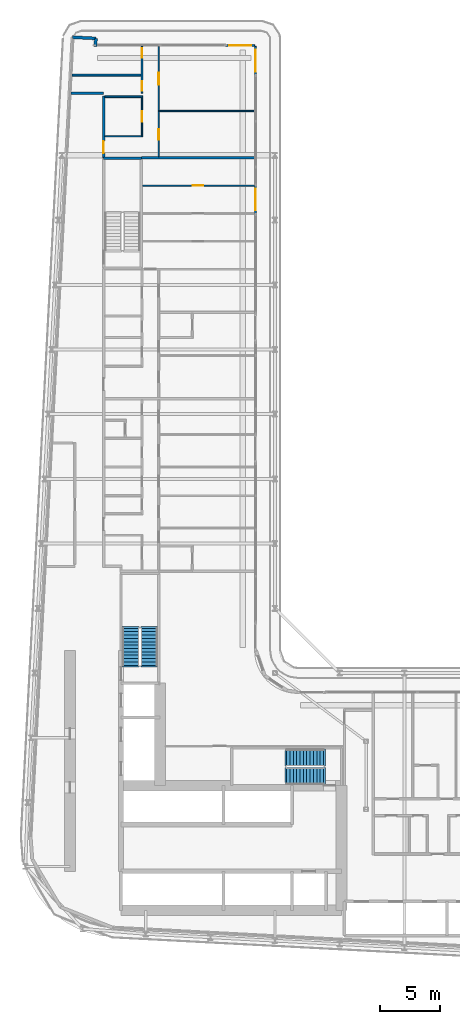
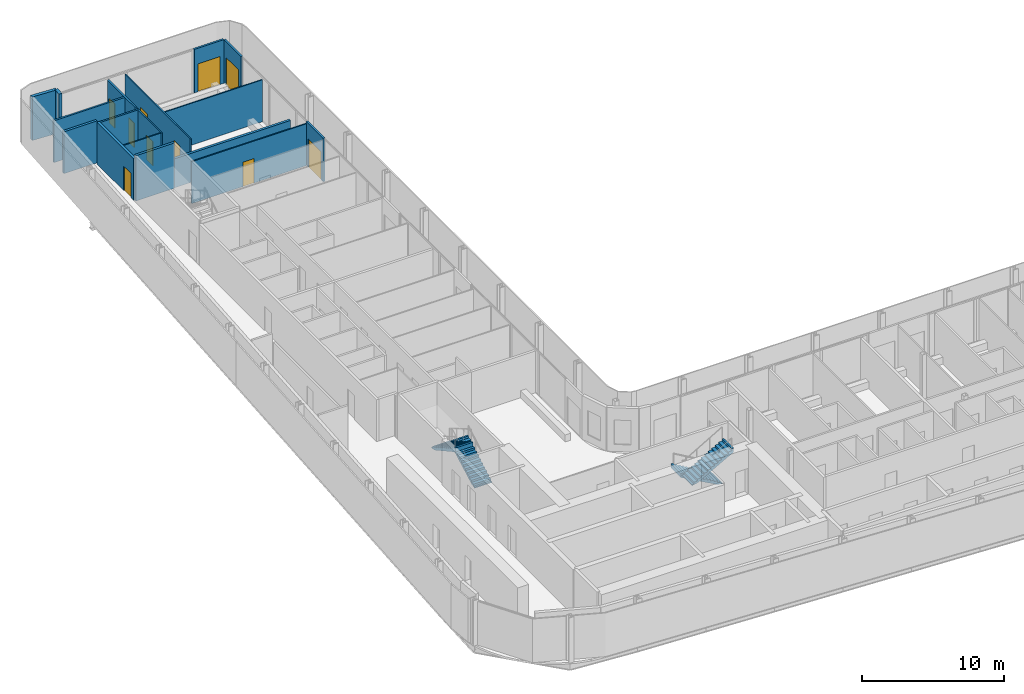
# One storey, part 21 of 29: 17 walls, 10 doors, 4 stair flights, 10 openings, 2 elements without a shape of their own.
"""IFC4 building model written with IfcOpenShell, lengths in metres."""

import ifcopenshell
import ifcopenshell.guid

model = None  # the IFC model being written
_history = None  # IfcOwnerHistory: only IFC2X3 demands one
_inside = {}  # id of a spatial element -> (the spatial element, [elements in it])
_under = {}  # id of a project, library or spatial element -> (it, [spatial elements below it])
_declared = {}  # id of a project -> (the project, [libraries it declares])
_typed = {}  # id of a type object -> (the type object, [elements of that type])
_made_of = {}  # id of a material, layer set ... -> (it, [elements and type objects made of it])


def new_model(schema):
    """Start an empty IFC model of exactly this schema.

    Asked for "IFC4X3", IfcOpenShell would pick the latest addendum, in which some entities
    have other attributes; the version numbers below select the first issue.
    IFC2X3 requires an IfcOwnerHistory on every rooted entity: one is made here for all.
    """
    global model, _history
    if schema == "IFC4X3":
        model = ifcopenshell.file(schema_version=(4, 3, 0, 0))
    else:
        model = ifcopenshell.file(schema=schema)
    _inside.clear()
    _under.clear()
    _declared.clear()
    _typed.clear()
    _made_of.clear()
    _history = None
    if model.schema == "IFC2X3":
        org = make("IfcOrganization", Name="unknown")
        user = make(
            "IfcPersonAndOrganization",
            ThePerson=make("IfcPerson", FamilyName="unknown"),
            TheOrganization=org,
        )
        app = make(
            "IfcApplication",
            ApplicationDeveloper=org,
            Version="unknown",
            ApplicationFullName="unknown",
            ApplicationIdentifier="unknown",
        )
        _history = make(
            "IfcOwnerHistory",
            OwningUser=user,
            OwningApplication=app,
            ChangeAction="ADDED",
            CreationDate=0,
        )
    return model


def make(cls, **values):
    """One entity of the class cls with the attributes given. An attribute that is None is left unset."""
    return model.create_entity(
        cls, **{name: value for name, value in values.items() if value is not None}
    )


def rooted(cls, **values):
    """An entity with a GlobalId (a new one), such as an element, a storey or a relation."""
    return make(cls, GlobalId=ifcopenshell.guid.new(), OwnerHistory=_history, **values)


def si_unit(unit_type, name, prefix=None):
    """IfcSIUnit, for example si_unit("LENGTHUNIT", "METRE", prefix="MILLI")."""
    return make("IfcSIUnit", UnitType=unit_type, Prefix=prefix, Name=name)


def assignment(units):
    """IfcUnitAssignment: the units of a project."""
    return None if units is None else make("IfcUnitAssignment", Units=units)


def point(xyz):
    """IfcCartesianPoint."""
    return None if xyz is None else make("IfcCartesianPoint", Coordinates=xyz)


def direction(xyz):
    """IfcDirection."""
    return None if xyz is None else make("IfcDirection", DirectionRatios=xyz)


def frame(location, z_axis=None, x_axis=None):
    """IfcAxis2Placement3D, a coordinate frame: its origin and axes. An axis left out is left unset."""
    return make(
        "IfcAxis2Placement3D",
        Location=point(location),
        Axis=direction(z_axis),
        RefDirection=direction(x_axis),
    )


def frame_2d(location, x_axis=None):
    """IfcAxis2Placement2D, a coordinate frame in the plane: its origin and x axis."""
    return make(
        "IfcAxis2Placement2D", Location=point(location), RefDirection=direction(x_axis)
    )


def origin():
    """The frame at (0, 0, 0) with its axes left unset."""
    return frame((0.0, 0.0, 0.0))


def place(relative_to, where):
    """IfcLocalPlacement: puts the frame where relative to a parent placement (None: the world)."""
    return make(
        "IfcLocalPlacement", PlacementRelTo=relative_to, RelativePlacement=where
    )


def context(
    kind, dimensions, precision=None, world=None, true_north=None, identifier=None
):
    """IfcGeometricRepresentationContext, for example the 3D "Model" context."""
    return make(
        "IfcGeometricRepresentationContext",
        ContextIdentifier=identifier,
        ContextType=kind,
        CoordinateSpaceDimension=dimensions,
        Precision=precision,
        WorldCoordinateSystem=world,
        TrueNorth=true_north,
    )


def subcontext(parent, identifier, kind, view, scale=None):
    """IfcGeometricRepresentationSubContext, for example "Body" below "Model"."""
    return make(
        "IfcGeometricRepresentationSubContext",
        ContextIdentifier=identifier,
        ContextType=kind,
        ParentContext=parent,
        TargetScale=scale,
        TargetView=view,
    )


def project(units=None, contexts=None):
    """IfcProject with its units and contexts."""
    return rooted(
        "IfcProject",
        Name="project",
        RepresentationContexts=contexts,
        UnitsInContext=assignment(units),
    )


def spatial(cls, under=None, at=None, **own):
    """A site, building, storey or space (cls), placed at a placement, below another one or the project."""
    s = rooted(cls, ObjectPlacement=at, **own)
    if under is not None:
        _under.setdefault(under.id(), (under, []))[1].append(s)
    return s


def polyline(points):
    """IfcPolyline through the points."""
    return make("IfcPolyline", Points=[point(p) for p in points])


def profile(cls, at=None, kind="AREA", **sizes):
    """A parametric profile (cls). Its sizes go by their IFC names, for example OverallWidth=200.0."""
    return make(cls, ProfileType=kind, Position=at, **sizes)


def rectangle(**sizes):
    """IfcRectangleProfileDef."""
    return profile("IfcRectangleProfileDef", **sizes)


def outline(outer, holes=None, kind="AREA"):
    """IfcArbitraryClosedProfileDef: a profile drawn as a closed curve; with holes, ...WithVoids."""
    if holes is None:
        return make("IfcArbitraryClosedProfileDef", ProfileType=kind, OuterCurve=outer)
    return make(
        "IfcArbitraryProfileDefWithVoids",
        ProfileType=kind,
        OuterCurve=outer,
        InnerCurves=holes,
    )


def extrude(swept, where, along, depth):
    """IfcExtrudedAreaSolid: the profile swept, set in the frame where, extruded along a direction by depth."""
    return make(
        "IfcExtrudedAreaSolid",
        SweptArea=swept,
        Position=where,
        ExtrudedDirection=direction(along),
        Depth=depth,
    )


def shape(context_of_items, identifier, shape_type, items):
    """IfcShapeRepresentation: the items that make up one representation, for example the "Body"."""
    return make(
        "IfcShapeRepresentation",
        ContextOfItems=context_of_items,
        RepresentationIdentifier=identifier,
        RepresentationType=shape_type,
        Items=items,
    )


def source(mapping_origin, context_of_items, identifier, shape_type, items):
    """IfcRepresentationMap: a shape defined once, which mapped items show again and again."""
    return make(
        "IfcRepresentationMap",
        MappingOrigin=mapping_origin,
        MappedRepresentation=shape(context_of_items, identifier, shape_type, items),
    )


def transform(
    local_origin,
    x_axis=None,
    y_axis=None,
    z_axis=None,
    scale=None,
    scale2=None,
    scale3=None,
    uniform=True,
):
    """IfcCartesianTransformationOperator3D, or its non-uniform kind. x_axis, y_axis, z_axis: its Axis1, 2, 3."""
    if uniform:
        return make(
            "IfcCartesianTransformationOperator3D",
            Axis1=direction(x_axis),
            Axis2=direction(y_axis),
            LocalOrigin=point(local_origin),
            Scale=scale,
            Axis3=direction(z_axis),
        )
    return make(
        "IfcCartesianTransformationOperator3DnonUniform",
        Axis1=direction(x_axis),
        Axis2=direction(y_axis),
        LocalOrigin=point(local_origin),
        Scale=scale,
        Axis3=direction(z_axis),
        Scale2=scale2,
        Scale3=scale3,
    )


def mapped(mapping_source, mapping_target):
    """IfcMappedItem: shows the shape of a source again, moved by a transform."""
    return make(
        "IfcMappedItem", MappingSource=mapping_source, MappingTarget=mapping_target
    )


def material(Name=None, Category=None):
    """IfcMaterial."""
    return make("IfcMaterial", Name=Name, Category=Category)


def layer(
    of_material, thickness, ventilated=None, Name=None, Category=None, Priority=None
):
    """IfcMaterialLayer: one layer of a wall or slab, of a material (None: an air gap)."""
    return make(
        "IfcMaterialLayer",
        Material=of_material,
        LayerThickness=thickness,
        IsVentilated=ventilated,
        Name=Name,
        Category=Category,
        Priority=Priority,
    )


def layer_set(layers, Name=None):
    """IfcMaterialLayerSet."""
    return make("IfcMaterialLayerSet", MaterialLayers=layers, LayerSetName=Name)


def made_of(thing, what):
    """Note that an element or type object is made of a material, layer set ...; save() writes the relation."""
    if what is not None:
        _made_of.setdefault(what.id(), (what, []))[1].append(thing)
    return thing


def type_object(cls, material=None, **own):
    """A type object (cls), such as IfcWallType, which elements share."""
    return made_of(rooted(cls, **own), material)


def element(
    cls,
    number,
    at=None,
    inside=None,
    cuts=None,
    type_object=None,
    material=None,
    context=None,
    identifier="Body",
    shape_type=None,
    held_by="IfcProductDefinitionShape",
    body=None,
    shapes=None,
    **own,
):
    """One element of the class cls, such as IfcWall. Its Tag is "e" and its number.

    at: its placement. inside: the storey or other place that contains it. cuts: it is an
    opening in that element (IfcRelVoidsElement). A single representation is given by context,
    identifier, shape_type and body (its items); several are given by shapes. held_by: the class
    of the entity that holds the representations. save() writes the other relations.
    """
    e = rooted(cls, Tag="e%d" % number, ObjectPlacement=at, **own)
    if body is not None:
        shapes = [shape(context, identifier, shape_type, body)]
    if shapes is not None:
        e.Representation = make(held_by, Representations=shapes)
    if inside is not None:
        _inside.setdefault(inside.id(), (inside, []))[1].append(e)
    if cuts is not None:
        rooted(
            "IfcRelVoidsElement", RelatingBuildingElement=cuts, RelatedOpeningElement=e
        )
    if type_object is not None:
        _typed.setdefault(type_object.id(), (type_object, []))[1].append(e)
    return made_of(e, material)


def fill(opening, filler):
    """IfcRelFillsElement: the door or window that sits in an opening."""
    return rooted(
        "IfcRelFillsElement",
        RelatingOpeningElement=opening,
        RelatedBuildingElement=filler,
    )


def aggregate(whole, parts):
    """IfcRelAggregates: a whole, such as a stair, and the parts it consists of."""
    return rooted("IfcRelAggregates", RelatingObject=whole, RelatedObjects=parts)


def save(model, path):
    """Write the relations noted so far, then the file.

    IfcRelAggregates (storeys below a building ...), IfcRelContainedInSpatialStructure (elements
    in a storey), IfcRelDefinesByType, IfcRelAssociatesMaterial and IfcRelDeclares: one each for
    every whole, place, type object, material and project.
    """
    for whole, parts in _under.values():
        aggregate(whole, parts)
    for where, things in _inside.values():
        rooted(
            "IfcRelContainedInSpatialStructure",
            RelatedElements=things,
            RelatingStructure=where,
        )
    for kind, things in _typed.values():
        rooted("IfcRelDefinesByType", RelatedObjects=things, RelatingType=kind)
    for what, things in _made_of.values():
        rooted("IfcRelAssociatesMaterial", RelatedObjects=things, RelatingMaterial=what)
    for by, libraries in _declared.values():
        rooted("IfcRelDeclares", RelatingContext=by, RelatedDefinitions=libraries)
    model.write(path)


model = new_model("IFC4")

# Units and contexts
model_context = context("Model", 3, precision=1e-05, world=origin(), true_north=direction((0.0, 1.0)))
body_context = subcontext(model_context, "Body", "Model", "MODEL_VIEW")
ifc_project = project(units=[si_unit("LENGTHUNIT", "METRE"), si_unit("AREAUNIT", "SQUARE_METRE"), si_unit("VOLUMEUNIT", "CUBIC_METRE"), si_unit("PLANEANGLEUNIT", "RADIAN"), si_unit("MASSUNIT", "GRAM", prefix="KILO")], contexts=[model_context])

# Site, building, storey
site_placement = place(None, origin())
site = spatial("IfcSite", under=ifc_project, at=site_placement, CompositionType="ELEMENT")
building_placement = place(site_placement, origin())
building = spatial("IfcBuilding", under=site, at=building_placement, Name="Kheshtan School and Residences Tower", CompositionType="ELEMENT")
storey_placement = place(building_placement, frame((0.0, 0.0, 117.5)))
storey = spatial("IfcBuildingStorey", under=building, at=storey_placement, Name="L27", CompositionType="ELEMENT", Elevation=117.5)

# Wall
ifc_material_1 = material(Name="Gypsum board on steel studs with fire boards", Category="steel")
ifc_layer_1 = layer(ifc_material_1, 0.199951171875)
ifc_layer_set_1 = layer_set([ifc_layer_1], Name="Corridor wall 200")
wall_type_1 = type_object("IfcWallType", Name="Corridor wall 200", PredefinedType="PARTITIONING", material=ifc_layer_set_1)
wall_1_placement = place(storey_placement, frame((30.584716796875, 94.0, 0.0), z_axis=(0.0, 0.0, 1.0), x_axis=(1.0, 0.0, 0.0)))
element("IfcWall", 1, at=wall_1_placement, inside=storey, type_object=wall_type_1, Name="Partition L27-002", PredefinedType="PARTITIONING", context=body_context, shape_type="SweptSolid", body=[
    extrude(rectangle(XDim=2.71533203125, YDim=0.199951171875, at=frame_2d((1.357666015625, 0.0))), origin(), (0.0, 0.0, 1.0), 3.60009765625),
])

# Wall, opening, door
wall_2_placement = place(storey_placement, frame((33.300048828125, 88.60009765625, 0.0), z_axis=(0.0, 0.0, 1.0), x_axis=(0.0, 1.0, 0.0)))
wall_2 = element("IfcWall", 2, at=wall_2_placement, inside=storey, type_object=wall_type_1, Name="Partition L27-004", PredefinedType="PARTITIONING", context=body_context, shape_type="SweptSolid", body=[
    extrude(rectangle(XDim=5.1748046875, YDim=0.199951171875, at=frame_2d((2.58740234375, 0.0))), origin(), (0.0, 0.0, 1.0), 3.60009765625),
])
opening_1_placement = place(wall_2_placement, frame((0.39990234375, 0.0, 0.0)))
opening_1 = element("IfcOpeningElement", 3, at=opening_1_placement, cuts=wall_2, Name="Opening D27-062", PredefinedType="OPENING", context=body_context, shape_type="SweptSolid", body=[
    extrude(rectangle(XDim=1.0, YDim=2.10009765625, at=frame_2d((0.5, 1.050048828125))), frame((0.0, 0.10986328125, 0.0), z_axis=(0.0, -1.0, 0.0), x_axis=(1.0, 0.0, 0.0)), (0.0, 0.0, 1.0), 0.219970703125),
])
ifc_material_2 = material(Name="Steel-framed fire-resisting door leaf", Category="steel")
door_type_1 = type_object("IfcDoorType", Name="Fire door FD30S 1000 x 2100", OperationType="SINGLE_SWING_LEFT", PredefinedType="DOOR", material=ifc_material_2)
shared_shape_1 = source(origin(), body_context, "Body", "SweptSolid", [
    extrude(rectangle(XDim=1.0, YDim=2.10009765625, at=frame_2d((0.5, 1.050048828125))), frame((0.0, 0.02490234375, 0.0), z_axis=(0.0, -1.0, 0.0), x_axis=(1.0, 0.0, 0.0)), (0.0, 0.0, 1.0), 0.050048828125),
])
door_1_placement = place(opening_1_placement, origin())
door_1 = element("IfcDoor", 4, at=door_1_placement, inside=storey, type_object=door_type_1, Name="Door D27-062", OperationType="SINGLE_SWING_LEFT", OverallHeight=2.10009765625, OverallWidth=1.0, PredefinedType="DOOR", context=body_context, shape_type="MappedRepresentation", body=[
    mapped(shared_shape_1, transform((0.0, 0.0, 0.0), x_axis=(1.0, 0.0, 0.0), y_axis=(0.0, 1.0, 0.0), z_axis=(0.0, 0.0, 1.0), scale=1.0)),
])
fill(opening_1, door_1)

# Walls
ifc_material_3 = material(Name="Concrete C40/50 with ceramic cladding and mineral wool insulation", Category="concrete")
ifc_layer_2 = layer(ifc_material_3, 0.25)
ifc_layer_set_2 = layer_set([ifc_layer_2], Name="External wall 250 ceramic clad")
wall_type_2 = type_object("IfcWallType", Name="External wall 250 ceramic clad", PredefinedType="SOLIDWALL", material=ifc_layer_set_2)
wall_3_placement = place(storey_placement, frame((30.705078125, 98.6640625, 0.0), z_axis=(0.0, 0.0, 1.0), x_axis=(0.998577785791, -0.053314216913, 0.0)))
element("IfcWall", 5, at=wall_3_placement, inside=storey, type_object=wall_type_2, Name="External wall L27 5", PredefinedType="SOLIDWALL", context=body_context, shape_type="SweptSolid", body=[
    extrude(rectangle(XDim=1.95068359375, YDim=0.25, at=frame_2d((0.975341796875, 0.0))), origin(), (0.0, 0.0, 1.0), 3.75),
])
wall_4_placement = place(storey_placement, frame((32.653076171875, 98.56005859375, 0.0), z_axis=(0.0, 0.0, 1.0), x_axis=(-0.054093451632, -0.998535877418, 0.0)))
element("IfcWall", 6, at=wall_4_placement, inside=storey, type_object=wall_type_2, Name="External wall L27 6", PredefinedType="SOLIDWALL", context=body_context, shape_type="SweptSolid", body=[
    extrude(rectangle(XDim=0.66796875, YDim=0.25, at=frame_2d((0.333984375, 0.0))), origin(), (0.0, 0.0, 1.0), 3.75),
])

# Wall, opening, door
ifc_material_4 = material(Name="Aluminium frame wall with insulated infill", Category="aluminium")
ifc_layer_3 = layer(ifc_material_4, 0.14990234375)
ifc_layer_set_3 = layer_set([ifc_layer_3], Name="Glazing frame wall 150")
wall_type_3 = type_object("IfcWallType", Name="Glazing frame wall 150", PredefinedType="SOLIDWALL", material=ifc_layer_set_3)
wall_5_placement = place(storey_placement, frame((43.5, 97.97509765625, 0.0), z_axis=(0.0, 0.0, 1.0), x_axis=(1.0, 0.0, 0.0)))
wall_5 = element("IfcWall", 7, at=wall_5_placement, inside=storey, type_object=wall_type_3, Name="Balcony door wall L27 7.1", PredefinedType="SOLIDWALL", context=body_context, shape_type="SweptSolid", body=[
    extrude(rectangle(XDim=2.39990234375, YDim=0.14990234375, at=frame_2d((1.199951171875, 0.0))), origin(), (0.0, 0.0, 1.0), 3.75),
])
opening_2_placement = place(wall_5_placement, frame((0.300048828125, 0.0, 0.0)))
opening_2 = element("IfcOpeningElement", 8, at=opening_2_placement, cuts=wall_5, Name="Opening BD", PredefinedType="OPENING", context=body_context, shape_type="SweptSolid", body=[
    extrude(rectangle(XDim=1.800048828125, YDim=2.39990234375, at=frame_2d((0.89990234375, 1.199951171875))), frame((0.0, 0.0849609375, 0.0), z_axis=(0.0, -1.0, 0.0), x_axis=(1.0, 0.0, 0.0)), (0.0, 0.0, 1.0), 0.169921875),
])
ifc_material_5 = material(Name="Clear low-e glass in thermally broken aluminium frame", Category="aluminium")
door_type_2 = type_object("IfcDoorType", Name="Balcony sliding door", OperationType="SLIDING_TO_LEFT", PredefinedType="DOOR", material=ifc_material_5)
shared_shape_2 = source(origin(), body_context, "Body", "SweptSolid", [
    extrude(rectangle(XDim=1.800048828125, YDim=2.39990234375, at=frame_2d((0.89990234375, 1.199951171875))), frame((0.0, 0.02490234375, 0.0), z_axis=(0.0, -1.0, 0.0), x_axis=(1.0, 0.0, 0.0)), (0.0, 0.0, 1.0), 0.050048828125),
])
door_2_placement = place(opening_2_placement, origin())
door_2 = element("IfcDoor", 9, at=door_2_placement, inside=storey, type_object=door_type_2, Name="Balcony door L27 7.1", OperationType="SLIDING_TO_LEFT", OverallHeight=2.39990234375, OverallWidth=1.800048828125, PredefinedType="DOOR", context=body_context, shape_type="MappedRepresentation", body=[
    mapped(shared_shape_2, transform((0.0, 0.0, 0.0), x_axis=(1.0, 0.0, 0.0), y_axis=(0.0, 1.0, 0.0), z_axis=(0.0, 0.0, 1.0), scale=1.0)),
])
fill(opening_2, door_2)

wall_6_placement = place(storey_placement, frame((45.97509765625, 97.89990234375, 0.0), z_axis=(0.0, 0.0, 1.0), x_axis=(0.0, -1.0, 0.0)))
wall_6 = element("IfcWall", 10, at=wall_6_placement, inside=storey, type_object=wall_type_3, Name="Balcony door wall L27 8.1", PredefinedType="SOLIDWALL", context=body_context, shape_type="SweptSolid", body=[
    extrude(rectangle(XDim=2.39990234375, YDim=0.14990234375, at=frame_2d((1.199951171875, 0.0))), origin(), (0.0, 0.0, 1.0), 3.75),
])
opening_3_placement = place(wall_6_placement, frame((0.300048828125, 0.0, 0.0)))
opening_3 = element("IfcOpeningElement", 11, at=opening_3_placement, cuts=wall_6, Name="Opening BD", PredefinedType="OPENING", context=body_context, shape_type="SweptSolid", body=[
    extrude(rectangle(XDim=1.800048828125, YDim=2.39990234375, at=frame_2d((0.89990234375, 1.199951171875))), frame((0.0, 0.0849609375, 0.0), z_axis=(0.0, -1.0, 0.0), x_axis=(1.0, 0.0, 0.0)), (0.0, 0.0, 1.0), 0.169921875),
])
door_3_placement = place(opening_3_placement, origin())
door_3 = element("IfcDoor", 12, at=door_3_placement, inside=storey, type_object=door_type_2, Name="Balcony door L27 8.1", OperationType="SLIDING_TO_LEFT", OverallHeight=2.39990234375, OverallWidth=1.800048828125, PredefinedType="DOOR", context=body_context, shape_type="MappedRepresentation", body=[
    mapped(shared_shape_2, transform((0.0, 0.0, 0.0), x_axis=(1.0, 0.0, 0.0), y_axis=(0.0, 1.0, 0.0), z_axis=(0.0, 0.0, 1.0), scale=1.0)),
])
fill(opening_3, door_3)

wall_7_placement = place(storey_placement, frame((45.97509765625, 86.305908203125, 0.0), z_axis=(0.0, 0.0, 1.0), x_axis=(0.0, -1.0, 0.0)))
wall_7 = element("IfcWall", 13, at=wall_7_placement, inside=storey, type_object=wall_type_3, Name="Balcony door wall L27 8.2", PredefinedType="SOLIDWALL", context=body_context, shape_type="SweptSolid", body=[
    extrude(rectangle(XDim=2.39990234375, YDim=0.14990234375, at=frame_2d((1.199951171875, 0.0))), origin(), (0.0, 0.0, 1.0), 3.75),
])
opening_4_placement = place(wall_7_placement, frame((0.300048828125, 0.0, 0.0)))
opening_4 = element("IfcOpeningElement", 14, at=opening_4_placement, cuts=wall_7, Name="Opening BD", PredefinedType="OPENING", context=body_context, shape_type="SweptSolid", body=[
    extrude(rectangle(XDim=1.800048828125, YDim=2.39990234375, at=frame_2d((0.89990234375, 1.199951171875))), frame((0.0, 0.0849609375, 0.0), z_axis=(0.0, -1.0, 0.0), x_axis=(1.0, 0.0, 0.0)), (0.0, 0.0, 1.0), 0.169921875),
])
door_4_placement = place(opening_4_placement, origin())
door_4 = element("IfcDoor", 15, at=door_4_placement, inside=storey, type_object=door_type_2, Name="Balcony door L27 8.2", OperationType="SLIDING_TO_LEFT", OverallHeight=2.39990234375, OverallWidth=1.800048828125, PredefinedType="DOOR", context=body_context, shape_type="MappedRepresentation", body=[
    mapped(shared_shape_2, transform((0.0, 0.0, 0.0), x_axis=(1.0, 0.0, 0.0), y_axis=(0.0, 1.0, 0.0), z_axis=(0.0, 0.0, 1.0), scale=1.0)),
])
fill(opening_4, door_4)

# Wall
ifc_material_6 = material(Name="Gypsum board on steel studs", Category="steel")
ifc_layer_4 = layer(ifc_material_6, 0.10009765625)
ifc_layer_set_4 = layer_set([ifc_layer_4], Name="Gypsum partition 100")
wall_type_4 = type_object("IfcWallType", Name="Gypsum partition 100", PredefinedType="PARTITIONING", material=ifc_layer_set_4)
wall_8_placement = place(storey_placement, frame((33.39990234375, 90.39990234375, 0.0), z_axis=(0.0, 0.0, 1.0), x_axis=(1.0, 0.0, 0.0)))
element("IfcWall", 16, at=wall_8_placement, inside=storey, type_object=wall_type_4, Name="Partition L27-017", PredefinedType="PARTITIONING", context=body_context, shape_type="SweptSolid", body=[
    extrude(rectangle(XDim=3.050048828125, YDim=0.10009765625, at=frame_2d((1.52490234375, 0.0))), origin(), (0.0, 0.0, 1.0), 3.60009765625),
])

# Wall, opening, door
wall_9_placement = place(storey_placement, frame((36.5, 90.35009765625, 0.0), z_axis=(0.0, 0.0, 1.0), x_axis=(0.0, 1.0, 0.0)))
wall_9 = element("IfcWall", 17, at=wall_9_placement, inside=storey, type_object=wall_type_4, Name="Partition L27-026", PredefinedType="PARTITIONING", context=body_context, shape_type="SweptSolid", body=[
    extrude(rectangle(XDim=3.27490234375, YDim=0.10009765625, at=frame_2d((1.637451171875, 0.0))), origin(), (0.0, 0.0, 1.0), 3.60009765625),
])
opening_5_placement = place(wall_9_placement, frame((1.25, 0.0, 0.0)))
opening_5 = element("IfcOpeningElement", 18, at=opening_5_placement, cuts=wall_9, Name="Opening D27-063", PredefinedType="OPENING", context=body_context, shape_type="SweptSolid", body=[
    extrude(rectangle(XDim=0.89990234375, YDim=2.10009765625, at=frame_2d((0.449951171875, 1.050048828125))), frame((0.0, 0.06005859375, 0.0), z_axis=(0.0, -1.0, 0.0), x_axis=(1.0, 0.0, 0.0)), (0.0, 0.0, 1.0), 0.1201171875),
])
ifc_material_7 = material(Name="Veneered timber door leaf", Category="wood")
door_type_3 = type_object("IfcDoorType", Name="Door 900 x 2100", OperationType="SINGLE_SWING_LEFT", PredefinedType="DOOR", material=ifc_material_7)
shared_shape_3 = source(origin(), body_context, "Body", "SweptSolid", [
    extrude(rectangle(XDim=0.89990234375, YDim=2.10009765625, at=frame_2d((0.449951171875, 1.050048828125))), frame((0.0, 0.02490234375, 0.0), z_axis=(0.0, -1.0, 0.0), x_axis=(1.0, 0.0, 0.0)), (0.0, 0.0, 1.0), 0.050048828125),
])
door_5_placement = place(opening_5_placement, origin())
door_5 = element("IfcDoor", 19, at=door_5_placement, inside=storey, type_object=door_type_3, Name="Door D27-063", OperationType="SINGLE_SWING_RIGHT", OverallHeight=2.10009765625, OverallWidth=0.89990234375, PredefinedType="DOOR", context=body_context, shape_type="MappedRepresentation", body=[
    mapped(shared_shape_3, transform((0.0, 0.0, 0.0), x_axis=(1.0, 0.0, 0.0), y_axis=(0.0, 1.0, 0.0), z_axis=(0.0, 0.0, 1.0), scale=1.0)),
])
fill(opening_5, door_5)

wall_10_placement = place(storey_placement, frame((36.549072265625, 86.27490234375, 0.0), z_axis=(0.0, 0.0, 1.0), x_axis=(1.0, 0.0, 0.0)))
wall_10 = element("IfcWall", 20, at=wall_10_placement, inside=storey, type_object=wall_type_4, Name="Partition L27-030", PredefinedType="PARTITIONING", context=body_context, shape_type="SweptSolid", body=[
    extrude(rectangle(XDim=9.350830078125, YDim=0.10009765625, at=frame_2d((4.67529296875, 0.0))), origin(), (0.0, 0.0, 1.0), 3.60009765625),
])
opening_6_placement = place(wall_10_placement, frame((4.176025390625, 0.0, 0.0)))
opening_6 = element("IfcOpeningElement", 21, at=opening_6_placement, cuts=wall_10, Name="Opening D27-059", PredefinedType="OPENING", context=body_context, shape_type="SweptSolid", body=[
    extrude(rectangle(XDim=0.89990234375, YDim=2.10009765625, at=frame_2d((0.449951171875, 1.050048828125))), frame((0.0, 0.06005859375, 0.0), z_axis=(0.0, -1.0, 0.0), x_axis=(1.0, 0.0, 0.0)), (0.0, 0.0, 1.0), 0.1201171875),
])
door_6_placement = place(opening_6_placement, origin())
door_6 = element("IfcDoor", 22, at=door_6_placement, inside=storey, type_object=door_type_3, Name="Door D27-059", OperationType="SINGLE_SWING_RIGHT", OverallHeight=2.10009765625, OverallWidth=0.89990234375, PredefinedType="DOOR", context=body_context, shape_type="MappedRepresentation", body=[
    mapped(shared_shape_3, transform((0.0, 0.0, 0.0), x_axis=(1.0, 0.0, 0.0), y_axis=(0.0, 1.0, 0.0), z_axis=(0.0, 0.0, 1.0), scale=1.0)),
])
fill(opening_6, door_6)

# Wall, openings, doors
wall_11_placement = place(storey_placement, frame((37.89990234375, 88.699951171875, 0.0), z_axis=(0.0, 0.0, 1.0), x_axis=(0.0, 1.0, 0.0)))
wall_11 = element("IfcWall", 23, at=wall_11_placement, inside=storey, type_object=wall_type_4, Name="Partition L27-034", PredefinedType="PARTITIONING", context=body_context, shape_type="SweptSolid", body=[
    extrude(rectangle(XDim=9.199951171875, YDim=0.10009765625, at=frame_2d((4.60009765625, 0.0))), origin(), (0.0, 0.0, 1.0), 3.60009765625),
])
opening_7_placement = place(wall_11_placement, frame((1.39990234375, 0.0, 0.0)))
opening_7 = element("IfcOpeningElement", 24, at=opening_7_placement, cuts=wall_11, Name="Opening D27-061", PredefinedType="OPENING", context=body_context, shape_type="SweptSolid", body=[
    extrude(rectangle(XDim=0.89990234375, YDim=2.10009765625, at=frame_2d((0.449951171875, 1.050048828125))), frame((0.0, 0.06005859375, 0.0), z_axis=(0.0, -1.0, 0.0), x_axis=(1.0, 0.0, 0.0)), (0.0, 0.0, 1.0), 0.1201171875),
])
opening_8_placement = place(wall_11_placement, frame((6.0, 0.0, 0.0)))
opening_8 = element("IfcOpeningElement", 25, at=opening_8_placement, cuts=wall_11, Name="Opening D27-064", PredefinedType="OPENING", context=body_context, shape_type="SweptSolid", body=[
    extrude(rectangle(XDim=1.0, YDim=2.10009765625, at=frame_2d((0.5, 1.050048828125))), frame((0.0, 0.06005859375, 0.0), z_axis=(0.0, -1.0, 0.0), x_axis=(1.0, 0.0, 0.0)), (0.0, 0.0, 1.0), 0.1201171875),
])
door_type_4 = type_object("IfcDoorType", Name="Door 1000 x 2100", OperationType="SINGLE_SWING_LEFT", PredefinedType="DOOR", material=ifc_material_7)
shared_shape_4 = source(origin(), body_context, "Body", "SweptSolid", [
    extrude(rectangle(XDim=1.0, YDim=2.10009765625, at=frame_2d((0.5, 1.050048828125))), frame((0.0, 0.02490234375, 0.0), z_axis=(0.0, -1.0, 0.0), x_axis=(1.0, 0.0, 0.0)), (0.0, 0.0, 1.0), 0.050048828125),
])
door_7_placement = place(opening_8_placement, origin())
door_7 = element("IfcDoor", 26, at=door_7_placement, inside=storey, type_object=door_type_4, Name="Door D27-064", OperationType="SINGLE_SWING_RIGHT", OverallHeight=2.10009765625, OverallWidth=1.0, PredefinedType="DOOR", context=body_context, shape_type="MappedRepresentation", body=[
    mapped(shared_shape_4, transform((0.0, 0.0, 0.0), x_axis=(1.0, 0.0, 0.0), y_axis=(0.0, 1.0, 0.0), z_axis=(0.0, 0.0, 1.0), scale=1.0)),
])
fill(opening_8, door_7)
door_8_placement = place(opening_7_placement, origin())
door_8 = element("IfcDoor", 27, at=door_8_placement, inside=storey, type_object=door_type_3, Name="Door D27-061", OperationType="SINGLE_SWING_LEFT", OverallHeight=2.10009765625, OverallWidth=0.89990234375, PredefinedType="DOOR", context=body_context, shape_type="MappedRepresentation", body=[
    mapped(shared_shape_3, transform((0.0, 0.0, 0.0), x_axis=(1.0, 0.0, 0.0), y_axis=(0.0, 1.0, 0.0), z_axis=(0.0, 0.0, 1.0), scale=1.0)),
])
fill(opening_7, door_8)

# Walls
wall_12_placement = place(storey_placement, frame((37.949951171875, 92.5, 0.0), z_axis=(0.0, 0.0, 1.0), x_axis=(1.0, 0.0, 0.0)))
element("IfcWall", 28, at=wall_12_placement, inside=storey, type_object=wall_type_4, Name="Partition L27-035", PredefinedType="PARTITIONING", context=body_context, shape_type="SweptSolid", body=[
    extrude(rectangle(XDim=7.949951171875, YDim=0.10009765625, at=frame_2d((3.97509765625, 0.0))), origin(), (0.0, 0.0, 1.0), 3.60009765625),
])
ifc_material_8 = material(Name="Concrete C40/50", Category="concrete")
ifc_layer_5 = layer(ifc_material_8, 0.199951171875)
ifc_layer_set_5 = layer_set([ifc_layer_5], Name="Stair enclosure wall 200 Concrete C40/50")
wall_type_5 = type_object("IfcWallType", Name="Stair enclosure wall 200 Concrete C40/50", PredefinedType="SHEAR", material=ifc_layer_set_5)
wall_13_placement = place(storey_placement, frame((33.300048828125, 88.56005859375, 0.0), z_axis=(0.0, 0.0, 1.0), x_axis=(1.0, 0.0, 0.0)))
element("IfcWall", 29, at=wall_13_placement, inside=storey, type_object=wall_type_5, Name="Stair enclosure wall ST3", PredefinedType="SHEAR", context=body_context, shape_type="SweptSolid", body=[
    extrude(rectangle(XDim=3.14990234375, YDim=0.199951171875, at=frame_2d((1.574951171875, 0.0))), origin(), (0.0, 0.0, 1.0), 3.89990234375),
])
ifc_material_9 = material(Name="Twin gypsum board on steel studs with mineral wool", Category="steel")
ifc_layer_6 = layer(ifc_material_9, 0.199951171875)
ifc_layer_set_6 = layer_set([ifc_layer_6], Name="Unit demising wall 200")
wall_type_6 = type_object("IfcWallType", Name="Unit demising wall 200", PredefinedType="PARTITIONING", material=ifc_layer_set_6)
wall_14_placement = place(storey_placement, frame((36.449951171875, 88.60009765625, 0.0), z_axis=(0.0, 0.0, 1.0), x_axis=(1.0, 0.0, 0.0)))
element("IfcWall", 30, at=wall_14_placement, inside=storey, type_object=wall_type_6, Name="Partition L27-025", PredefinedType="PARTITIONING", context=body_context, shape_type="SweptSolid", body=[
    extrude(rectangle(XDim=9.449951171875, YDim=0.199951171875, at=frame_2d((4.72509765625, 0.0))), origin(), (0.0, 0.0, 1.0), 2.5),
])
ifc_material_10 = material(Name="Moisture-resistant gypsum board on steel studs", Category="steel")
ifc_layer_7 = layer(ifc_material_10, 0.14990234375)
ifc_layer_set_7 = layer_set([ifc_layer_7], Name="Wet-room partition 150")
wall_type_7 = type_object("IfcWallType", Name="Wet-room partition 150", PredefinedType="PARTITIONING", material=ifc_layer_set_7)
wall_15_placement = place(storey_placement, frame((30.6640625, 95.5, 0.0), z_axis=(0.0, 0.0, 1.0), x_axis=(1.0, 0.0, 0.0)))
element("IfcWall", 31, at=wall_15_placement, inside=storey, type_object=wall_type_7, Name="Partition L27-001", PredefinedType="PARTITIONING", context=body_context, shape_type="SweptSolid", body=[
    extrude(rectangle(XDim=5.760986328125, YDim=0.14990234375, at=frame_2d((2.88037109375, 0.0))), origin(), (0.0, 0.0, 1.0), 3.60009765625),
])
wall_16_placement = place(storey_placement, frame((33.39990234375, 93.699951171875, 0.0), z_axis=(0.0, 0.0, 1.0), x_axis=(1.0, 0.0, 0.0)))
element("IfcWall", 32, at=wall_16_placement, inside=storey, type_object=wall_type_7, Name="Partition L27-018", PredefinedType="PARTITIONING", context=body_context, shape_type="SweptSolid", body=[
    extrude(rectangle(XDim=3.150146484375, YDim=0.14990234375, at=frame_2d((1.5751953125, 0.0))), origin(), (0.0, 0.0, 1.0), 3.60009765625),
])

# Wall, openings, doors
wall_17_placement = place(storey_placement, frame((36.5, 94.0, 0.0), z_axis=(0.0, 0.0, 1.0), x_axis=(0.0, 1.0, 0.0)))
wall_17 = element("IfcWall", 33, at=wall_17_placement, inside=storey, type_object=wall_type_7, Name="Partition L27-027", PredefinedType="PARTITIONING", context=body_context, shape_type="SweptSolid", body=[
    extrude(rectangle(XDim=3.89990234375, YDim=0.14990234375, at=frame_2d((1.949951171875, 0.0))), origin(), (0.0, 0.0, 1.0), 3.60009765625),
])
opening_9_placement = place(wall_17_placement, frame((2.949951171875, 0.0, 0.0)))
opening_9 = element("IfcOpeningElement", 34, at=opening_9_placement, cuts=wall_17, Name="Opening D27-060", PredefinedType="OPENING", context=body_context, shape_type="SweptSolid", body=[
    extrude(rectangle(XDim=0.800048828125, YDim=2.10009765625, at=frame_2d((0.39990234375, 1.050048828125))), frame((0.0, 0.0849609375, 0.0), z_axis=(0.0, -1.0, 0.0), x_axis=(1.0, 0.0, 0.0)), (0.0, 0.0, 1.0), 0.169921875),
])
opening_10_placement = place(wall_17_placement, frame((0.199951171875, 0.0, 0.0)))
opening_10 = element("IfcOpeningElement", 35, at=opening_10_placement, cuts=wall_17, Name="Opening D27-065", PredefinedType="OPENING", context=body_context, shape_type="SweptSolid", body=[
    extrude(rectangle(XDim=0.800048828125, YDim=2.10009765625, at=frame_2d((0.39990234375, 1.050048828125))), frame((0.0, 0.0849609375, 0.0), z_axis=(0.0, -1.0, 0.0), x_axis=(1.0, 0.0, 0.0)), (0.0, 0.0, 1.0), 0.169921875),
])
door_type_5 = type_object("IfcDoorType", Name="Door 800 x 2100", OperationType="SINGLE_SWING_LEFT", PredefinedType="DOOR", material=ifc_material_7)
shared_shape_5 = source(origin(), body_context, "Body", "SweptSolid", [
    extrude(rectangle(XDim=0.800048828125, YDim=2.10009765625, at=frame_2d((0.39990234375, 1.050048828125))), frame((0.0, 0.02490234375, 0.0), z_axis=(0.0, -1.0, 0.0), x_axis=(1.0, 0.0, 0.0)), (0.0, 0.0, 1.0), 0.050048828125),
])
door_9_placement = place(opening_9_placement, origin())
door_9 = element("IfcDoor", 36, at=door_9_placement, inside=storey, type_object=door_type_5, Name="Door D27-060", OperationType="SINGLE_SWING_LEFT", OverallHeight=2.10009765625, OverallWidth=0.800048828125, PredefinedType="DOOR", context=body_context, shape_type="MappedRepresentation", body=[
    mapped(shared_shape_5, transform((0.0, 0.0, 0.0), x_axis=(1.0, 0.0, 0.0), y_axis=(0.0, 1.0, 0.0), z_axis=(0.0, 0.0, 1.0), scale=1.0)),
])
fill(opening_9, door_9)
door_10_placement = place(opening_10_placement, origin())
door_10 = element("IfcDoor", 37, at=door_10_placement, inside=storey, type_object=door_type_5, Name="Door D27-065", OperationType="SINGLE_SWING_RIGHT", OverallHeight=2.10009765625, OverallWidth=0.800048828125, PredefinedType="DOOR", context=body_context, shape_type="MappedRepresentation", body=[
    mapped(shared_shape_5, transform((0.0, 0.0, 0.0), x_axis=(1.0, 0.0, 0.0), y_axis=(0.0, 1.0, 0.0), z_axis=(0.0, 0.0, 1.0), scale=1.0)),
])
fill(opening_10, door_10)

# Stair, stair flights
stair_type = type_object("IfcStairType", Name="Exit stair, half-turn", PredefinedType="HALF_TURN_STAIR", material=ifc_material_8)
stair_1_placement = place(storey_placement, origin())
stair_1 = element("IfcStair", 38, at=stair_1_placement, inside=storey, type_object=stair_type, Name="L27 Protected Exit Stair ST1", PredefinedType="HALF_TURN_STAIR")
ifc_layer_8 = layer(ifc_material_8, 0.14990234375)
ifc_layer_set_8 = layer_set([ifc_layer_8], Name="Stair flight 1400 Concrete C40/50")
stair_flight_type = type_object("IfcStairFlightType", Name="Stair flight 1400 Concrete C40/50", PredefinedType="STRAIGHT", material=ifc_layer_set_8)
stair_flight_1_placement = place(storey_placement, frame((51.64990234375, 38.550048828125, 0.0), z_axis=(0.0, 0.0, 1.0), x_axis=(-1.0, 0.0, 0.0)))
stair_flight_1 = element("IfcStairFlight", 39, at=stair_flight_1_placement, type_object=stair_flight_type, Name="ST1 flight 1", NumberOfRisers=12, NumberOfTreads=11, PredefinedType="STRAIGHT", RiserHeight=0.1625, TreadLength=0.28, context=body_context, shape_type="SweptSolid", body=[
    extrude(outline(polyline([(-0.14990234375, -0.10009765625), (-0.14990234375, 0.0), (0.0, 0.0), (0.0, 0.16259765625), (0.280029296875, 0.16259765625), (0.280029296875, 0.324951171875), (0.56005859375, 0.324951171875), (0.56005859375, 0.487548828125), (0.840087890625, 0.487548828125), (0.840087890625, 0.64990234375), (1.1201171875, 0.64990234375), (1.1201171875, 0.8125), (1.39990234375, 0.8125), (1.39990234375, 0.97509765625), (1.679931640625, 0.97509765625), (1.679931640625, 1.137451171875), (1.9599609375, 1.137451171875), (1.9599609375, 1.300048828125), (2.239990234375, 1.300048828125), (2.239990234375, 1.46240234375), (2.52001953125, 1.46240234375), (2.52001953125, 1.625), (2.800048828125, 1.625), (2.800048828125, 1.78759765625), (3.080078125, 1.78759765625), (3.080078125, 1.949951171875), (3.080078125, 1.969970703125), (3.22998046875, 1.969970703125), (3.22998046875, 1.6142578125), (0.298583984375, 0.0), (-0.14990234375, -0.10009765625)])), frame((0.0, 0.699951171875, 0.0), z_axis=(0.0, -1.0, 0.0), x_axis=(1.0, 0.0, 0.0)), (0.0, 0.0, 1.0), 1.39990234375),
])
stair_flight_2_placement = place(storey_placement, frame((48.570068359375, 37.0, 1.949951171875), z_axis=(0.0, 0.0, 1.0), x_axis=(1.0, 0.0, 0.0)))
stair_flight_2 = element("IfcStairFlight", 40, at=stair_flight_2_placement, type_object=stair_flight_type, Name="ST1 flight 2", NumberOfRisers=12, NumberOfTreads=11, PredefinedType="STRAIGHT", RiserHeight=0.1625, TreadLength=0.28, context=body_context, shape_type="SweptSolid", body=[
    extrude(outline(polyline([(-0.14990234375, -0.10009765625), (-0.14990234375, 0.0), (0.0, 0.0), (0.0, 0.16259765625), (0.280029296875, 0.16259765625), (0.280029296875, 0.324951171875), (0.56005859375, 0.324951171875), (0.56005859375, 0.487548828125), (0.840087890625, 0.487548828125), (0.840087890625, 0.64990234375), (1.1201171875, 0.64990234375), (1.1201171875, 0.8125), (1.39990234375, 0.8125), (1.39990234375, 0.97509765625), (1.679931640625, 0.97509765625), (1.679931640625, 1.137451171875), (1.9599609375, 1.137451171875), (1.9599609375, 1.300048828125), (2.239990234375, 1.300048828125), (2.239990234375, 1.46240234375), (2.52001953125, 1.46240234375), (2.52001953125, 1.625), (2.800048828125, 1.625), (2.800048828125, 1.78759765625), (3.080078125, 1.78759765625), (3.080078125, 1.949951171875), (3.080078125, 1.969970703125), (3.22998046875, 1.969970703125), (3.22998046875, 1.6142578125), (0.298583984375, 0.0), (-0.14990234375, -0.10009765625)])), frame((0.0, 0.699951171875, 0.0), z_axis=(0.0, -1.0, 0.0), x_axis=(1.0, 0.0, 0.0)), (0.0, 0.0, 1.0), 1.39990234375),
])
aggregate(stair_1, [stair_flight_1, stair_flight_2])

stair_2_placement = place(storey_placement, origin())
stair_2 = element("IfcStair", 41, at=stair_2_placement, inside=storey, type_object=stair_type, Name="L27 Protected Exit Stair ST2", PredefinedType="HALF_TURN_STAIR")
stair_flight_3_placement = place(storey_placement, frame((37.10009765625, 46.25, 0.0), z_axis=(0.0, 0.0, 1.0), x_axis=(0.0, 1.0, 0.0)))
stair_flight_3 = element("IfcStairFlight", 42, at=stair_flight_3_placement, type_object=stair_flight_type, Name="ST2 flight 1", NumberOfRisers=12, NumberOfTreads=11, PredefinedType="STRAIGHT", RiserHeight=0.1625, TreadLength=0.28, context=body_context, shape_type="SweptSolid", body=[
    extrude(outline(polyline([(-0.14990234375, -0.10009765625), (-0.14990234375, 0.0), (0.0, 0.0), (0.0, 0.16259765625), (0.280029296875, 0.16259765625), (0.280029296875, 0.324951171875), (0.56005859375, 0.324951171875), (0.56005859375, 0.487548828125), (0.840087890625, 0.487548828125), (0.840087890625, 0.64990234375), (1.1201171875, 0.64990234375), (1.1201171875, 0.8125), (1.39990234375, 0.8125), (1.39990234375, 0.97509765625), (1.679931640625, 0.97509765625), (1.679931640625, 1.137451171875), (1.9599609375, 1.137451171875), (1.9599609375, 1.300048828125), (2.239990234375, 1.300048828125), (2.239990234375, 1.46240234375), (2.52001953125, 1.46240234375), (2.52001953125, 1.625), (2.800048828125, 1.625), (2.800048828125, 1.78759765625), (3.080078125, 1.78759765625), (3.080078125, 1.949951171875), (3.080078125, 1.969970703125), (3.22998046875, 1.969970703125), (3.22998046875, 1.6142578125), (0.298583984375, 0.0), (-0.14990234375, -0.10009765625)])), frame((0.0, 0.699951171875, 0.0), z_axis=(0.0, -1.0, 0.0), x_axis=(1.0, 0.0, 0.0)), (0.0, 0.0, 1.0), 1.39990234375),
])
stair_flight_4_placement = place(storey_placement, frame((35.550048828125, 49.330078125, 1.949951171875), z_axis=(0.0, 0.0, 1.0), x_axis=(0.0, -1.0, 0.0)))
stair_flight_4 = element("IfcStairFlight", 43, at=stair_flight_4_placement, type_object=stair_flight_type, Name="ST2 flight 2", NumberOfRisers=12, NumberOfTreads=11, PredefinedType="STRAIGHT", RiserHeight=0.1625, TreadLength=0.28, context=body_context, shape_type="SweptSolid", body=[
    extrude(outline(polyline([(-0.14990234375, -0.10009765625), (-0.14990234375, 0.0), (0.0, 0.0), (0.0, 0.16259765625), (0.280029296875, 0.16259765625), (0.280029296875, 0.324951171875), (0.56005859375, 0.324951171875), (0.56005859375, 0.487548828125), (0.840087890625, 0.487548828125), (0.840087890625, 0.64990234375), (1.1201171875, 0.64990234375), (1.1201171875, 0.8125), (1.39990234375, 0.8125), (1.39990234375, 0.97509765625), (1.679931640625, 0.97509765625), (1.679931640625, 1.137451171875), (1.9599609375, 1.137451171875), (1.9599609375, 1.300048828125), (2.239990234375, 1.300048828125), (2.239990234375, 1.46240234375), (2.52001953125, 1.46240234375), (2.52001953125, 1.625), (2.800048828125, 1.625), (2.800048828125, 1.78759765625), (3.080078125, 1.78759765625), (3.080078125, 1.949951171875), (3.080078125, 1.969970703125), (3.22998046875, 1.969970703125), (3.22998046875, 1.6142578125), (0.298583984375, 0.0), (-0.14990234375, -0.10009765625)])), frame((0.0, 0.699951171875, 0.0), z_axis=(0.0, -1.0, 0.0), x_axis=(1.0, 0.0, 0.0)), (0.0, 0.0, 1.0), 1.39990234375),
])
aggregate(stair_2, [stair_flight_3, stair_flight_4])

save(model, "model.ifc")
